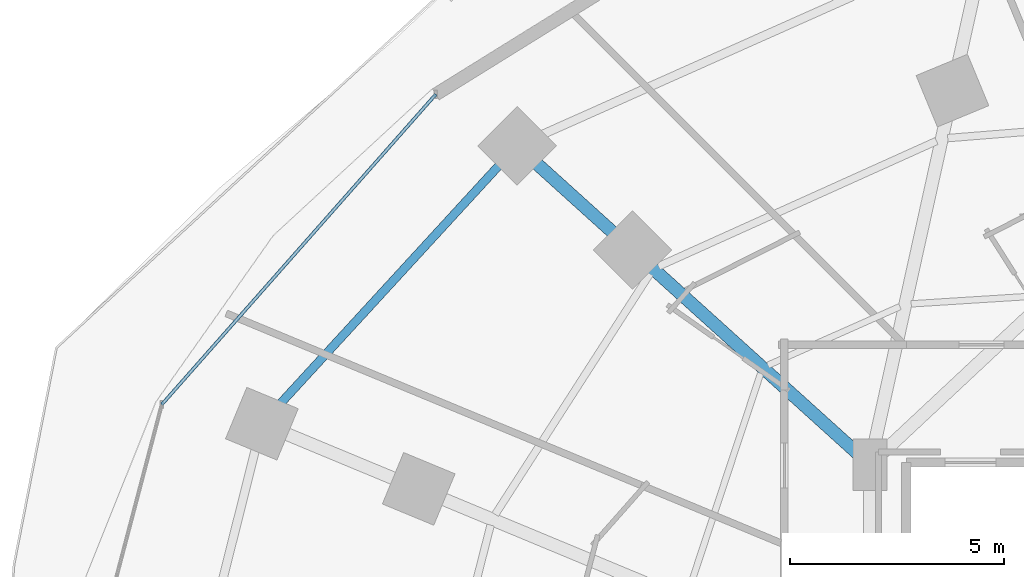
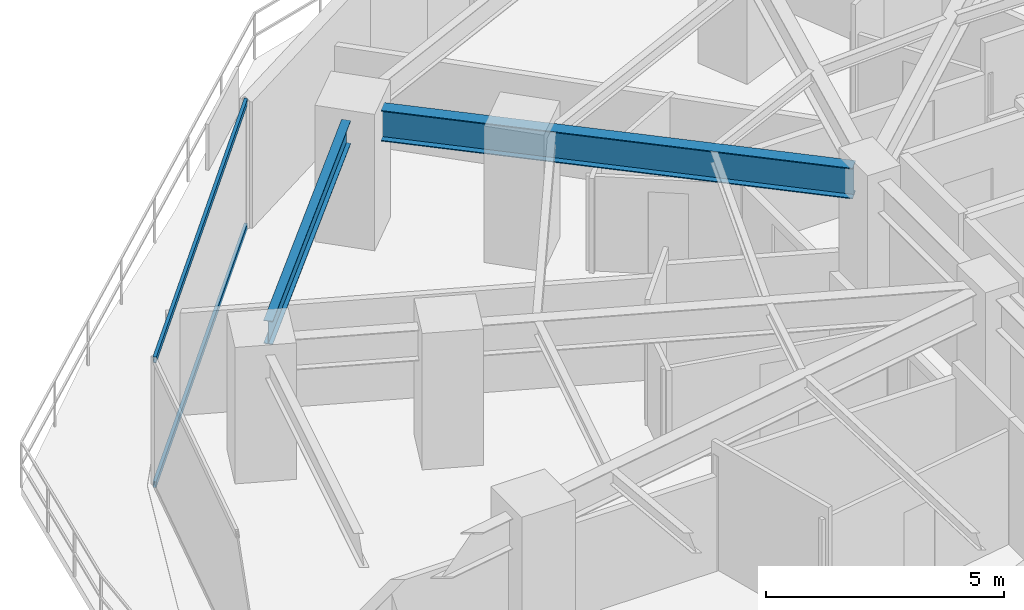
# One storey, part 19 of 36: 2 beams, 2 members, 1 element without a shape of its own.
"""IFC4 building model written with IfcOpenShell, lengths in metres."""

from ifc_helpers import new_model, si_unit, direction, frame, origin, origin_2d, place, context, subcontext, project, spatial, hollow_rectangle, i_section, extrude, material, material_profile, profile_set, type_object, element, aggregate, save


model = new_model("IFC4")

# Units and contexts
model_context = context("Model", 3, precision=1e-05, world=origin(), true_north=direction((0.0, 1.0)))
body_context = subcontext(model_context, "Body", "Model", "MODEL_VIEW")
ifc_project = project(units=[si_unit("LENGTHUNIT", "METRE"), si_unit("AREAUNIT", "SQUARE_METRE"), si_unit("VOLUMEUNIT", "CUBIC_METRE"), si_unit("PLANEANGLEUNIT", "RADIAN"), si_unit("MASSUNIT", "GRAM", prefix="KILO")], contexts=[model_context])

# Site, building, storey
site_placement = place(None, origin())
site = spatial("IfcSite", under=ifc_project, at=site_placement, CompositionType="ELEMENT")
building_placement = place(site_placement, origin())
building = spatial("IfcBuilding", under=site, at=building_placement, Name="Vorneva Point Tower", CompositionType="ELEMENT")
storey_placement = place(building_placement, frame((0.0, 0.0, 24.0)))
storey = spatial("IfcBuildingStorey", under=building, at=storey_placement, Name="L05", CompositionType="ELEMENT", Elevation=24.0)

# Beams
ifc_material_1 = material(Name="Steel S355", Category="steel")
ifc_material_profile_1 = material_profile(ifc_material_1, i_section(OverallWidth=0.300048828125, OverallDepth=0.7880859375, WebThickness=0.014404296875, FlangeThickness=0.02197265625, at=origin_2d()), Name="80Sh1")
ifc_profile_set_1 = profile_set([ifc_material_profile_1], Name="Steel S355")
beam_type_1 = type_object("IfcBeamType", Name="BM-GRD-80Sh1", PredefinedType="USERDEFINED", material=ifc_profile_set_1)
beam_1_placement = place(storey_placement, frame((19.47607421875, 40.172119140625, 2.845947265625), z_axis=(0.742084477445, -0.67030636901, 0.0), x_axis=(0.67030636901, 0.742084477445, 0.0)))
element("IfcBeam", 1, at=beam_1_placement, inside=storey, type_object=beam_type_1, Name="L05 Radial Primary Girder 07", ObjectType="GIRDER", PredefinedType="USERDEFINED", context=body_context, shape_type="SweptSolid", body=[
    extrude(i_section(OverallWidth=0.300048828125, OverallDepth=0.7880859375, WebThickness=0.014404296875, FlangeThickness=0.02197265625, at=origin_2d()), origin(), (0.0, 0.0, 1.0), 10.135986328125),
])
ifc_material_profile_2 = material_profile(ifc_material_1, i_section(OverallWidth=0.198974609375, OverallDepth=0.595947265625, WebThickness=0.010009765625, FlangeThickness=0.014892578125, at=origin_2d()), Name="60B1")
ifc_profile_set_2 = profile_set([ifc_material_profile_2], Name="Steel S355")
beam_type_2 = type_object("IfcBeamType", Name="BM-SPN-60B1", PredefinedType="SPANDREL", material=ifc_profile_set_2)
beam_2_placement = place(storey_placement, frame((18.572998046875, 40.132080078125, 2.94189453125), z_axis=(-0.676348412786, -0.736581851882, 0.0), x_axis=(0.736581851882, -0.676348412786, 0.0)))
element("IfcBeam", 2, at=beam_2_placement, inside=storey, type_object=beam_type_2, Name="L05 Perimeter Spandrel Ring Beam 07", PredefinedType="SPANDREL", context=body_context, shape_type="SweptSolid", body=[
    extrude(i_section(OverallWidth=0.198974609375, OverallDepth=0.595947265625, WebThickness=0.010009765625, FlangeThickness=0.014892578125, at=origin_2d()), origin(), (0.0, 0.0, 1.0), 7.547119140625),
])

# Curtain wall, members
ifc_material_2 = material(Name="Pale anodised aluminium", Category="aluminium")
curtain_wall_type = type_object("IfcCurtainWallType", Name="CW-HTL-SYS", PredefinedType="NOTDEFINED", material=ifc_material_2)
curtain_wall_placement = place(storey_placement, origin())
curtain_wall = element("IfcCurtainWall", 3, at=curtain_wall_placement, inside=storey, type_object=curtain_wall_type, Name="L05 Unitised Curtain Wall CW-L05-R03", PredefinedType="NOTDEFINED")
ifc_material_profile_3 = material_profile(ifc_material_2, hollow_rectangle(XDim=0.074951171875, YDim=0.14990234375, WallThickness=0.00390625, at=origin_2d()), Name="AL-TRN 150x75x4")
ifc_profile_set_3 = profile_set([ifc_material_profile_3], Name="Pale anodised aluminium")
member_type = type_object("IfcMemberType", Name="CW-TRN-150", PredefinedType="USERDEFINED", material=ifc_profile_set_3)
member_1_placement = place(storey_placement, frame((17.10498046875, 41.8037109375, 0.02001953125), z_axis=(-0.662075539029, -0.749437109182, 0.0), x_axis=(0.749437109182, -0.662075539029, 0.0)))
member_1 = element("IfcMember", 4, at=member_1_placement, type_object=member_type, Name="CW-L05-R03 Transom 01.1", ObjectType="TRANSOM", PredefinedType="USERDEFINED", context=body_context, shape_type="SweptSolid", body=[
    extrude(hollow_rectangle(XDim=0.074951171875, YDim=0.14990234375, WallThickness=0.00390625, at=origin_2d()), origin(), (0.0, 0.0, 1.0), 9.6748046875),
])
member_2_placement = place(storey_placement, frame((17.10498046875, 41.8037109375, 3.219970703125), z_axis=(-0.662075539029, -0.749437109182, 0.0), x_axis=(0.749437109182, -0.662075539029, 0.0)))
member_2 = element("IfcMember", 5, at=member_2_placement, type_object=member_type, Name="CW-L05-R03 Transom 01.2", ObjectType="TRANSOM", PredefinedType="USERDEFINED", context=body_context, shape_type="SweptSolid", body=[
    extrude(hollow_rectangle(XDim=0.074951171875, YDim=0.14990234375, WallThickness=0.00390625, at=origin_2d()), origin(), (0.0, 0.0, 1.0), 9.6748046875),
])
aggregate(curtain_wall, [member_1, member_2])

save(model, "model.ifc")
